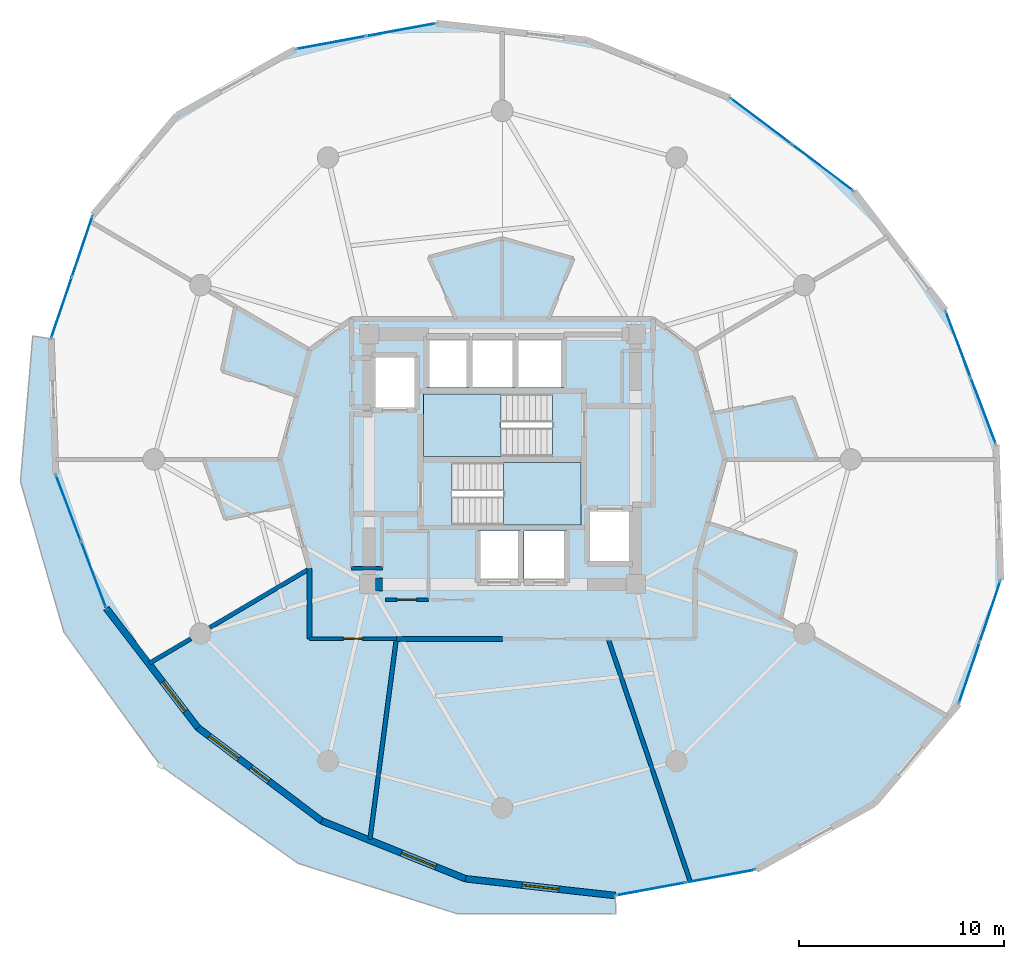
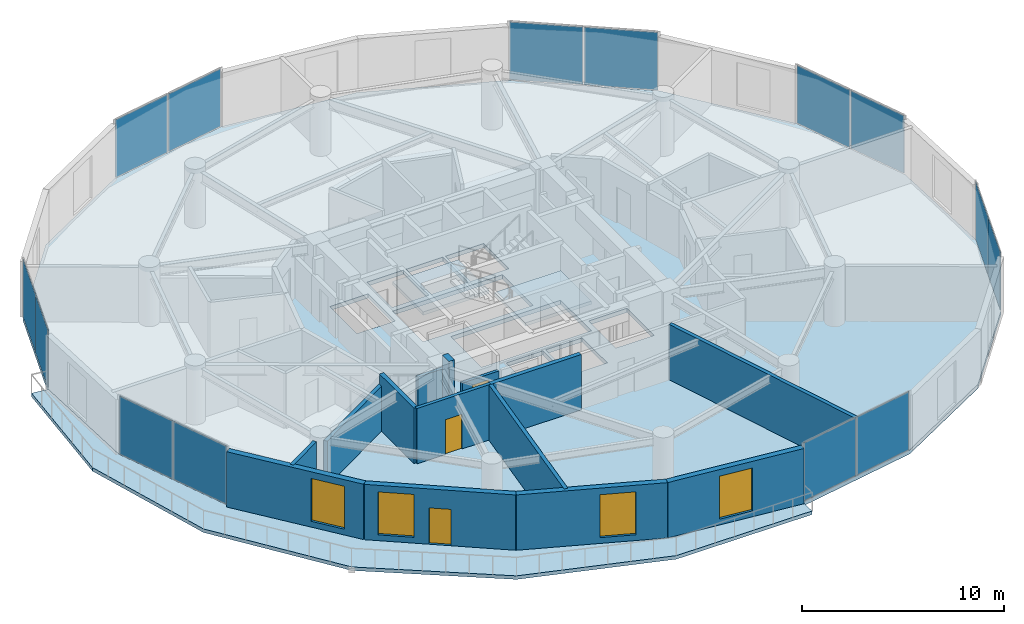
# One storey, part 20 of 25: 14 plates, 14 walls, 4 slabs, 4 windows, 3 doors, 7 openings, 9 elements without a shape of their own.
"""IFC4 building model written with IfcOpenShell, lengths in metres."""

from ifc_helpers import new_model, si_unit, direction, frame, frame_2d, origin, origin_2d, place, context, subcontext, project, spatial, polyline, rectangle, outline, extrude, source, transform, mapped, material, layer, layer_set, type_object, element, fill, aggregate, save


model = new_model("IFC4")

# Units and contexts
model_context = context("Model", 3, precision=1e-05, world=origin(), true_north=direction((0.0, 1.0)))
body_context = subcontext(model_context, "Body", "Model", "MODEL_VIEW")
ifc_project = project(units=[si_unit("LENGTHUNIT", "METRE"), si_unit("AREAUNIT", "SQUARE_METRE"), si_unit("VOLUMEUNIT", "CUBIC_METRE"), si_unit("PLANEANGLEUNIT", "RADIAN"), si_unit("MASSUNIT", "GRAM", prefix="KILO")], contexts=[model_context])

# Site, building, storey
site_placement = place(None, origin())
site = spatial("IfcSite", under=ifc_project, at=site_placement, CompositionType="ELEMENT")
building_placement = place(site_placement, origin())
building = spatial("IfcBuilding", under=site, at=building_placement, Name="Solvirekh Grand Hotel", CompositionType="ELEMENT")
storey_placement = place(building_placement, frame((0.0, 0.0, 106.199951171875)))
storey = spatial("IfcBuildingStorey", under=building, at=storey_placement, Name="L26", CompositionType="ELEMENT", Elevation=106.199951171875)

# Slab
ifc_material_1 = material(Name="Concrete C50/60", Category="concrete")
ifc_layer_1 = layer(ifc_material_1, 0.215087890625)
ifc_layer_set_1 = layer_set([ifc_layer_1], Name="Concrete C50/60")
slab_type_1 = type_object("IfcSlabType", Name="ExtCrescentBalc_215", PredefinedType="FLOOR", material=ifc_layer_set_1)
slab_1_placement = place(storey_placement, frame((0.0, 0.0, -0.21484375)))
element("IfcSlab", 1, at=slab_1_placement, inside=storey, type_object=slab_type_1, Name="L26 sweeping crescent balcony slab", PredefinedType="FLOOR", context=body_context, shape_type="SweptSolid", body=[
    extrude(outline(polyline([(-22.902099609375, 6.013916015625), (-23.5, -1.073974609375), (-21.384033203125, -8.423095703125), (-16.66796875, -14.93896484375), (-9.968994140625, -19.700927734375), (-2.220947265625, -22.15087890625), (5.5390625, -22.173095703125), (5.510986328125, -21.27294921875), (-1.7900390625, -20.455078125), (-8.802978515625, -17.635009765625), (-14.842041015625, -13.089111328125), (-19.31494140625, -7.260986328125), (-21.785888671875, -0.722900390625), (-22.010986328125, 5.885986328125), (-22.902099609375, 6.013916015625)])), origin(), (0.0, 0.0, 1.0), 0.21484375),
])

# Stair, slab
ifc_material_2 = material(Name="Concrete C40/50", Category="concrete")
stair_type = type_object("IfcStairType", Name="Stair_Core_1450", PredefinedType="HALF_TURN_STAIR", material=ifc_material_2)
stair_1_placement = place(storey_placement, origin())
stair_1 = element("IfcStair", 2, at=stair_1_placement, inside=storey, type_object=stair_type, Name="L26 Enclosed exit stair ST-1", PredefinedType="HALF_TURN_STAIR")
ifc_layer_2 = layer(ifc_material_2, 0.199951171875)
ifc_layer_set_2 = layer_set([ifc_layer_2], Name="Concrete C40/50")
slab_type_2 = type_object("IfcSlabType", Name="Landing_Stair_200", PredefinedType="LANDING", material=ifc_layer_set_2)
slab_2_placement = place(storey_placement, frame((0.0, 0.0, 1.60009765625)))
slab_2 = element("IfcSlab", 3, at=slab_2_placement, type_object=slab_type_2, Name="ST-1 landing 1", PredefinedType="LANDING", context=body_context, shape_type="SweptSolid", body=[
    extrude(outline(polyline([(0.070068359375, -3.199951171875), (3.85009765625, -3.199951171875), (3.85009765625, -0.14990234375), (0.070068359375, -0.14990234375), (0.070068359375, -3.199951171875)])), origin(), (0.0, 0.0, 1.0), 0.199951171875),
])
aggregate(stair_1, [slab_2])

stair_2_placement = place(storey_placement, origin())
stair_2 = element("IfcStair", 4, at=stair_2_placement, inside=storey, type_object=stair_type, Name="L26 Enclosed exit stair ST-2", PredefinedType="HALF_TURN_STAIR")
slab_3_placement = place(storey_placement, frame((0.0, 0.0, 1.60009765625)))
slab_3 = element("IfcSlab", 5, at=slab_3_placement, type_object=slab_type_2, Name="ST-2 landing 1", PredefinedType="LANDING", context=body_context, shape_type="SweptSolid", body=[
    extrude(outline(polyline([(-0.070068359375, 3.199951171875), (-3.85009765625, 3.199951171875), (-3.85009765625, 0.14990234375), (-0.070068359375, 0.14990234375), (-0.070068359375, 3.199951171875)])), origin(), (0.0, 0.0, 1.0), 0.199951171875),
])
aggregate(stair_2, [slab_3])

# Slab
ifc_layer_3 = layer(ifc_material_1, 0.25)
ifc_layer_set_3 = layer_set([ifc_layer_3], Name="Concrete C50/60")
slab_type_3 = type_object("IfcSlabType", Name="Slab_GuestZ2_250", PredefinedType="FLOOR", material=ifc_layer_set_3)
slab_4_placement = place(storey_placement, frame((0.0, 0.0, -0.25)))
element("IfcSlab", 6, at=slab_4_placement, inside=storey, type_object=slab_type_3, Name="L26 structural floor slab", PredefinedType="FLOOR", context=body_context, shape_type="SweptSolid", body=[
    extrude(outline(polyline([(22.26904296875, -11.9189453125), (24.31103515625, -5.885986328125), (24.0859375, 0.722900390625), (21.614990234375, 7.260986328125), (17.14208984375, 13.089111328125), (11.10302734375, 17.635009765625), (4.090087890625, 20.455078125), (-3.2109375, 21.27294921875), (-10.0849609375, 20.008056640625), (-15.85888671875, 16.784912109375), (-19.968994140625, 11.9189453125), (-22.010986328125, 5.885986328125), (-21.785888671875, -0.722900390625), (-19.31494140625, -7.260986328125), (-14.842041015625, -13.089111328125), (-8.802978515625, -17.635009765625), (-1.7900390625, -20.455078125), (5.510986328125, -21.27294921875), (12.385009765625, -20.008056640625), (18.158935546875, -16.784912109375), (22.26904296875, -11.9189453125)]), holes=[polyline([(-2.444091796875, -0.14990234375), (3.85009765625, -0.14990234375), (3.85009765625, -3.199951171875), (-2.444091796875, -3.199951171875), (-2.444091796875, -0.14990234375)]), polyline([(2.444091796875, 0.14990234375), (-3.85009765625, 0.14990234375), (-3.85009765625, 3.199951171875), (2.444091796875, 3.199951171875), (2.444091796875, 0.14990234375)]), polyline([(-1.199951171875, -3.5), (0.89990234375, -3.5), (0.89990234375, -6.0), (-1.199951171875, -6.0), (-1.199951171875, -3.5)]), polyline([(1.050048828125, -3.5), (3.14990234375, -3.5), (3.14990234375, -6.0), (1.050048828125, -6.0), (1.050048828125, -3.5)]), polyline([(-3.699951171875, 6.0), (-1.60009765625, 6.0), (-1.60009765625, 3.5), (-3.699951171875, 3.5), (-3.699951171875, 6.0)]), polyline([(-1.449951171875, 6.0), (0.64990234375, 6.0), (0.64990234375, 3.5), (-1.449951171875, 3.5), (-1.449951171875, 6.0)]), polyline([(0.800048828125, 6.0), (3.0, 6.0), (3.0, 3.5), (0.800048828125, 3.5), (0.800048828125, 6.0)]), polyline([(-6.35009765625, 5.10009765625), (-4.14990234375, 5.10009765625), (-4.14990234375, 2.39990234375), (-6.35009765625, 2.39990234375), (-6.35009765625, 5.10009765625)]), polyline([(4.14990234375, -2.39990234375), (6.35009765625, -2.39990234375), (6.35009765625, -5.10009765625), (4.14990234375, -5.10009765625), (4.14990234375, -2.39990234375)])]), origin(), (0.0, 0.0, 1.0), 0.25),
])

# Curtain wall, plates
ifc_material_3 = material(Name="Anodized Bronze Aluminium 6063-T6", Category="aluminium")
ifc_layer_4 = layer(ifc_material_3, 0.175048828125)
ifc_layer_set_4 = layer_set([ifc_layer_4], Name="Anodized Bronze Aluminium 6063-T6")
curtain_wall_type = type_object("IfcCurtainWallType", Name="CW_Sys3_MidZoneFlushBronzeCW", PredefinedType="NOTDEFINED", material=ifc_layer_set_4)
curtain_wall_1_placement = place(storey_placement, origin())
curtain_wall_1 = element("IfcCurtainWall", 7, at=curtain_wall_1_placement, inside=storey, type_object=curtain_wall_type, Name="L26 unitised bronze-glass curtain wall CW-L26-C01", PredefinedType="NOTDEFINED")
ifc_material_4 = material(Name="Low-E Tinted Bronze Laminated Glass", Category="aluminium")
ifc_layer_5 = layer(ifc_material_4, 0.035888671875)
ifc_layer_set_5 = layer_set([ifc_layer_5], Name="Low-E Tinted Bronze Laminated Glass")
plate_type = type_object("IfcPlateType", Name="CWPanel_Mid_36", PredefinedType="CURTAIN_PANEL", material=ifc_layer_set_5)
shared_shape_1 = source(origin(), body_context, "Body", "SweptSolid", [
    extrude(rectangle(XDim=3.087158203125, YDim=0.035888671875, at=origin_2d()), origin(), (0.0, 0.0, 1.0), 3.489990234375),
])
plate_1_placement = place(storey_placement, frame((22.78466796875, -10.395263671875, 0.05517578125), z_axis=(0.0, 0.0, 1.0), x_axis=(0.320604843106, 0.947213035477, 0.0)))
plate_1 = element("IfcPlate", 8, at=plate_1_placement, type_object=plate_type, Name="U03 panel 1.1", PredefinedType="CURTAIN_PANEL", context=body_context, shape_type="MappedRepresentation", body=[
    mapped(shared_shape_1, transform((0.0, 0.0, 0.0), x_axis=(1.0, 0.0, 0.0), y_axis=(0.0, 1.0, 0.0), z_axis=(0.0, 0.0, 1.0), scale=1.0)),
])
plate_2_placement = place(storey_placement, frame((23.79541015625, -7.40966796875, 0.05517578125), z_axis=(0.0, 0.0, 1.0), x_axis=(0.320604843106, 0.947213035477, 0.0)))
plate_2 = element("IfcPlate", 9, at=plate_2_placement, type_object=plate_type, Name="U03 panel 2.1", PredefinedType="CURTAIN_PANEL", context=body_context, shape_type="MappedRepresentation", body=[
    mapped(shared_shape_1, transform((0.0, 0.0, 0.0), x_axis=(1.0, 0.0, 0.0), y_axis=(0.0, 1.0, 0.0), z_axis=(0.0, 0.0, 1.0), scale=1.0)),
])
aggregate(curtain_wall_1, [plate_1, plate_2])

curtain_wall_2_placement = place(storey_placement, origin())
curtain_wall_2 = element("IfcCurtainWall", 10, at=curtain_wall_2_placement, inside=storey, type_object=curtain_wall_type, Name="L26 unitised bronze-glass curtain wall CW-L26-C11", PredefinedType="NOTDEFINED")
plate_3_placement = place(storey_placement, frame((-20.484619140625, 10.395263671875, 0.05517578125), z_axis=(0.0, 0.0, 1.0), x_axis=(-0.320604843106, -0.947213035477, 0.0)))
plate_3 = element("IfcPlate", 11, at=plate_3_placement, type_object=plate_type, Name="U03 panel 1.1", PredefinedType="CURTAIN_PANEL", context=body_context, shape_type="MappedRepresentation", body=[
    mapped(shared_shape_1, transform((0.0, 0.0, 0.0), x_axis=(1.0, 0.0, 0.0), y_axis=(0.0, 1.0, 0.0), z_axis=(0.0, 0.0, 1.0), scale=1.0)),
])
plate_4_placement = place(storey_placement, frame((-21.495361328125, 7.40966796875, 0.05517578125), z_axis=(0.0, 0.0, 1.0), x_axis=(-0.320604843106, -0.947213035477, 0.0)))
plate_4 = element("IfcPlate", 12, at=plate_4_placement, type_object=plate_type, Name="U03 panel 2.1", PredefinedType="CURTAIN_PANEL", context=body_context, shape_type="MappedRepresentation", body=[
    mapped(shared_shape_1, transform((0.0, 0.0, 0.0), x_axis=(1.0, 0.0, 0.0), y_axis=(0.0, 1.0, 0.0), z_axis=(0.0, 0.0, 1.0), scale=1.0)),
])
aggregate(curtain_wall_2, [plate_3, plate_4])

curtain_wall_3_placement = place(storey_placement, origin())
curtain_wall_3 = element("IfcCurtainWall", 13, at=curtain_wall_3_placement, inside=storey, type_object=curtain_wall_type, Name="L26 unitised bronze-glass curtain wall CW-L26-C03", PredefinedType="NOTDEFINED")
shared_shape_2 = source(origin(), body_context, "Body", "SweptSolid", [
    extrude(rectangle(XDim=3.397216796875, YDim=0.035888671875, at=origin_2d()), origin(), (0.0, 0.0, 1.0), 3.489990234375),
])
plate_5_placement = place(storey_placement, frame((23.46240234375, 2.372802734375, 0.05517578125), z_axis=(0.0, 0.0, 1.0), x_axis=(-0.353536899934, 0.935420579411, 0.0)))
plate_5 = element("IfcPlate", 14, at=plate_5_placement, type_object=plate_type, Name="U03 panel 1.1", PredefinedType="CURTAIN_PANEL", context=body_context, shape_type="MappedRepresentation", body=[
    mapped(shared_shape_2, transform((0.0, 0.0, 0.0), x_axis=(1.0, 0.0, 0.0), y_axis=(0.0, 1.0, 0.0), z_axis=(0.0, 0.0, 1.0), scale=1.0)),
])
plate_6_placement = place(storey_placement, frame((22.238525390625, 5.611328125, 0.05517578125), z_axis=(0.0, 0.0, 1.0), x_axis=(-0.353536899934, 0.935420579411, 0.0)))
plate_6 = element("IfcPlate", 15, at=plate_6_placement, type_object=plate_type, Name="U03 panel 2.1", PredefinedType="CURTAIN_PANEL", context=body_context, shape_type="MappedRepresentation", body=[
    mapped(shared_shape_2, transform((0.0, 0.0, 0.0), x_axis=(1.0, 0.0, 0.0), y_axis=(0.0, 1.0, 0.0), z_axis=(0.0, 0.0, 1.0), scale=1.0)),
])
aggregate(curtain_wall_3, [plate_5, plate_6])

curtain_wall_4_placement = place(storey_placement, origin())
curtain_wall_4 = element("IfcCurtainWall", 16, at=curtain_wall_4_placement, inside=storey, type_object=curtain_wall_type, Name="L26 unitised bronze-glass curtain wall CW-L26-C08", PredefinedType="NOTDEFINED")
plate_7_placement = place(storey_placement, frame((-4.945556640625, 20.953857421875, 0.05517578125), z_axis=(0.0, 0.0, 1.0), x_axis=(-0.983485371719, -0.180987633873, 0.0)))
plate_7 = element("IfcPlate", 17, at=plate_7_placement, type_object=plate_type, Name="U03 panel 1.1", PredefinedType="CURTAIN_PANEL", context=body_context, shape_type="MappedRepresentation", body=[
    mapped(shared_shape_2, transform((0.0, 0.0, 0.0), x_axis=(1.0, 0.0, 0.0), y_axis=(0.0, 1.0, 0.0), z_axis=(0.0, 0.0, 1.0), scale=1.0)),
])
plate_8_placement = place(storey_placement, frame((-8.3505859375, 20.3271484375, 0.05517578125), z_axis=(0.0, 0.0, 1.0), x_axis=(-0.983485371719, -0.180987633873, 0.0)))
plate_8 = element("IfcPlate", 18, at=plate_8_placement, type_object=plate_type, Name="U03 panel 2.1", PredefinedType="CURTAIN_PANEL", context=body_context, shape_type="MappedRepresentation", body=[
    mapped(shared_shape_2, transform((0.0, 0.0, 0.0), x_axis=(1.0, 0.0, 0.0), y_axis=(0.0, 1.0, 0.0), z_axis=(0.0, 0.0, 1.0), scale=1.0)),
])
aggregate(curtain_wall_4, [plate_7, plate_8])

curtain_wall_5_placement = place(storey_placement, origin())
curtain_wall_5 = element("IfcCurtainWall", 19, at=curtain_wall_5_placement, inside=storey, type_object=curtain_wall_type, Name="L26 unitised bronze-glass curtain wall CW-L26-C13", PredefinedType="NOTDEFINED")
plate_9_placement = place(storey_placement, frame((-21.16259765625, -2.372802734375, 0.05517578125), z_axis=(0.0, 0.0, 1.0), x_axis=(0.353536899934, -0.935420579411, 0.0)))
plate_9 = element("IfcPlate", 20, at=plate_9_placement, type_object=plate_type, Name="U03 panel 1.1", PredefinedType="CURTAIN_PANEL", context=body_context, shape_type="MappedRepresentation", body=[
    mapped(shared_shape_2, transform((0.0, 0.0, 0.0), x_axis=(1.0, 0.0, 0.0), y_axis=(0.0, 1.0, 0.0), z_axis=(0.0, 0.0, 1.0), scale=1.0)),
])
plate_10_placement = place(storey_placement, frame((-19.9384765625, -5.611328125, 0.05517578125), z_axis=(0.0, 0.0, 1.0), x_axis=(0.353536899934, -0.935420579411, 0.0)))
plate_10 = element("IfcPlate", 21, at=plate_10_placement, type_object=plate_type, Name="U03 panel 2.1", PredefinedType="CURTAIN_PANEL", context=body_context, shape_type="MappedRepresentation", body=[
    mapped(shared_shape_2, transform((0.0, 0.0, 0.0), x_axis=(1.0, 0.0, 0.0), y_axis=(0.0, 1.0, 0.0), z_axis=(0.0, 0.0, 1.0), scale=1.0)),
])
aggregate(curtain_wall_5, [plate_9, plate_10])

curtain_wall_6_placement = place(storey_placement, origin())
curtain_wall_6 = element("IfcCurtainWall", 22, at=curtain_wall_6_placement, inside=storey, type_object=curtain_wall_type, Name="L26 unitised bronze-glass curtain wall CW-L26-C18", PredefinedType="NOTDEFINED")
plate_11_placement = place(storey_placement, frame((7.245361328125, -20.953857421875, 0.05517578125), z_axis=(0.0, 0.0, 1.0), x_axis=(0.983485371719, 0.180987633873, 0.0)))
plate_11 = element("IfcPlate", 23, at=plate_11_placement, type_object=plate_type, Name="U03 panel 1.1", PredefinedType="CURTAIN_PANEL", context=body_context, shape_type="MappedRepresentation", body=[
    mapped(shared_shape_2, transform((0.0, 0.0, 0.0), x_axis=(1.0, 0.0, 0.0), y_axis=(0.0, 1.0, 0.0), z_axis=(0.0, 0.0, 1.0), scale=1.0)),
])
plate_12_placement = place(storey_placement, frame((10.650634765625, -20.3271484375, 0.05517578125), z_axis=(0.0, 0.0, 1.0), x_axis=(0.983485371719, 0.180987633873, 0.0)))
plate_12 = element("IfcPlate", 24, at=plate_12_placement, type_object=plate_type, Name="U03 panel 2.1", PredefinedType="CURTAIN_PANEL", context=body_context, shape_type="MappedRepresentation", body=[
    mapped(shared_shape_2, transform((0.0, 0.0, 0.0), x_axis=(1.0, 0.0, 0.0), y_axis=(0.0, 1.0, 0.0), z_axis=(0.0, 0.0, 1.0), scale=1.0)),
])
aggregate(curtain_wall_6, [plate_11, plate_12])

curtain_wall_7_placement = place(storey_placement, origin())
curtain_wall_7 = element("IfcCurtainWall", 25, at=curtain_wall_7_placement, inside=storey, type_object=curtain_wall_type, Name="L26 unitised bronze-glass curtain wall CW-L26-C05", PredefinedType="NOTDEFINED")
shared_shape_3 = source(origin(), body_context, "Body", "SweptSolid", [
    extrude(rectangle(XDim=3.681884765625, YDim=0.035888671875, at=origin_2d()), origin(), (0.0, 0.0, 1.0), 3.489990234375),
])
plate_13_placement = place(storey_placement, frame((15.619384765625, 14.2353515625, 0.05517578125), z_axis=(0.0, 0.0, 1.0), x_axis=(-0.798935083696, 0.601417269489, 0.0)))
plate_13 = element("IfcPlate", 26, at=plate_13_placement, type_object=plate_type, Name="U03 panel 1.1", PredefinedType="CURTAIN_PANEL", context=body_context, shape_type="MappedRepresentation", body=[
    mapped(shared_shape_3, transform((0.0, 0.0, 0.0), x_axis=(1.0, 0.0, 0.0), y_axis=(0.0, 1.0, 0.0), z_axis=(0.0, 0.0, 1.0), scale=1.0)),
])
plate_14_placement = place(storey_placement, frame((12.625732421875, 16.48876953125, 0.05517578125), z_axis=(0.0, 0.0, 1.0), x_axis=(-0.798935083696, 0.601417269489, 0.0)))
plate_14 = element("IfcPlate", 27, at=plate_14_placement, type_object=plate_type, Name="U03 panel 2.1", PredefinedType="CURTAIN_PANEL", context=body_context, shape_type="MappedRepresentation", body=[
    mapped(shared_shape_3, transform((0.0, 0.0, 0.0), x_axis=(1.0, 0.0, 0.0), y_axis=(0.0, 1.0, 0.0), z_axis=(0.0, 0.0, 1.0), scale=1.0)),
])
aggregate(curtain_wall_7, [plate_13, plate_14])

# Wall
ifc_layer_6 = layer(ifc_material_1, 0.64990234375)
ifc_layer_set_6 = layer_set([ifc_layer_6], Name="Concrete C50/60")
wall_type_1 = type_object("IfcWallType", Name="CoreWall_RC650", PredefinedType="SHEAR", material=ifc_layer_set_6)
wall_1_placement = place(storey_placement, frame((-6.175048828125, -6.10009765625, 0.0), z_axis=(0.0, 0.0, 1.0), x_axis=(1.0, 0.0, 0.0)))
element("IfcWall", 28, at=wall_1_placement, inside=storey, type_object=wall_type_1, Name="L26 core corner shear wall SW-S", PredefinedType="SHEAR", context=body_context, shape_type="SweptSolid", body=[
    extrude(rectangle(XDim=0.324951171875, YDim=0.64990234375, at=frame_2d((0.16259765625, 0.0))), origin(), (0.0, 0.0, 1.0), 3.60009765625),
])

# Wall, opening, window
ifc_material_5 = material(Name="Precast concrete C45/55", Category="concrete")
ifc_layer_7 = layer(ifc_material_5, 0.320068359375)
ifc_layer_set_7 = layer_set([ifc_layer_7], Name="Precast concrete C45/55")
wall_type_2 = type_object("IfcWallType", Name="ExtLobbyWall_RC320", PredefinedType="SOLIDWALL", material=ifc_layer_set_7)
wall_2_placement = place(storey_placement, frame((-14.842041015625, -13.089111328125, 0.0), z_axis=(0.0, 0.0, 1.0), x_axis=(-0.608831916989, 0.793299247986, 0.0)))
wall_2 = element("IfcWall", 29, at=wall_2_placement, inside=storey, type_object=wall_type_2, Name="L26 exterior structural wall chord 14", PredefinedType="SOLIDWALL", context=body_context, shape_type="SweptSolid", body=[
    extrude(rectangle(XDim=7.3466796875, YDim=0.320068359375, at=frame_2d((3.67333984375, 0.0))), origin(), (0.0, 0.0, 1.0), 3.35009765625),
])
opening_1_placement = place(wall_2_placement, frame((1.02099609375, 0.0, 0.35009765625)))
opening_1 = element("IfcOpeningElement", 30, at=opening_1_placement, cuts=wall_2, Name="Opening W02", PredefinedType="OPENING", context=body_context, shape_type="SweptSolid", body=[
    extrude(rectangle(XDim=1.800048828125, YDim=2.60009765625, at=frame_2d((0.89990234375, 1.300048828125))), frame((0.0, 0.169921875, 0.0), z_axis=(0.0, -1.0, 0.0), x_axis=(1.0, 0.0, 0.0)), (0.0, 0.0, 1.0), 0.340087890625),
])
window_type = type_object("IfcWindowType", Name="Win_LobbyExt_1800X2600", PartitioningType="SINGLE_PANEL", PredefinedType="WINDOW", material=ifc_material_4)
window_1_placement = place(opening_1_placement, origin())
window_1 = element("IfcWindow", 31, at=window_1_placement, inside=storey, type_object=window_type, Name="L26 panoramic bronze-framed window 14", OverallHeight=2.60009765625, OverallWidth=1.800048828125, PartitioningType="SINGLE_PANEL", PredefinedType="WINDOW", context=body_context, shape_type="SweptSolid", body=[
    extrude(rectangle(XDim=1.800048828125, YDim=2.60009765625, at=frame_2d((0.89990234375, 1.300048828125))), frame((0.0, 0.030029296875, 0.0), z_axis=(0.0, -1.0, 0.0), x_axis=(1.0, 0.0, 0.0)), (0.0, 0.0, 1.0), 0.06005859375),
])
fill(opening_1, window_1)

# Wall, openings, door, window
wall_3_placement = place(storey_placement, frame((-8.802978515625, -17.635009765625, 0.0), z_axis=(0.0, 0.0, 1.0), x_axis=(-0.798944530401, 0.601404720087, 0.0)))
wall_3 = element("IfcWall", 32, at=wall_3_placement, inside=storey, type_object=wall_type_2, Name="L26 exterior structural wall chord 15", PredefinedType="SOLIDWALL", context=body_context, shape_type="SweptSolid", body=[
    extrude(rectangle(XDim=7.558837890625, YDim=0.320068359375, at=frame_2d((3.779296875, 0.0))), origin(), (0.0, 0.0, 1.0), 3.35009765625),
])
opening_2_placement = place(wall_3_placement, frame((5.069091796875, 0.0, 0.35009765625)))
opening_2 = element("IfcOpeningElement", 33, at=opening_2_placement, cuts=wall_3, Name="Opening W02", PredefinedType="OPENING", context=body_context, shape_type="SweptSolid", body=[
    extrude(rectangle(XDim=1.800048828125, YDim=2.60009765625, at=frame_2d((0.89990234375, 1.300048828125))), frame((0.0, 0.169921875, 0.0), z_axis=(0.0, -1.0, 0.0), x_axis=(1.0, 0.0, 0.0)), (0.0, 0.0, 1.0), 0.340087890625),
])
opening_3_placement = place(wall_3_placement, frame((3.22900390625, 0.0, 0.0)))
opening_3 = element("IfcOpeningElement", 34, at=opening_3_placement, cuts=wall_3, Name="Opening D03", PredefinedType="OPENING", context=body_context, shape_type="SweptSolid", body=[
    extrude(rectangle(XDim=1.10009765625, YDim=2.199951171875, at=frame_2d((0.550048828125, 1.10009765625))), frame((0.0, 0.169921875, 0.0), z_axis=(0.0, -1.0, 0.0), x_axis=(1.0, 0.0, 0.0)), (0.0, 0.0, 1.0), 0.340087890625),
])
door_type_1 = type_object("IfcDoorType", Name="Door_ExtBalcony_1100X2200", OperationType="NOTDEFINED", PredefinedType="DOOR", material=ifc_material_3)
door_1_placement = place(opening_3_placement, origin())
door_1 = element("IfcDoor", 35, at=door_1_placement, inside=storey, type_object=door_type_1, Name="L26 Crescent balcony glazed door (15)", OperationType="SINGLE_SWING_LEFT", OverallHeight=2.199951171875, OverallWidth=1.10009765625, PredefinedType="DOOR", context=body_context, shape_type="SweptSolid", body=[
    extrude(rectangle(XDim=1.10009765625, YDim=2.199951171875, at=frame_2d((0.550048828125, 1.10009765625))), frame((0.0, 0.02490234375, 0.0), z_axis=(0.0, -1.0, 0.0), x_axis=(1.0, 0.0, 0.0)), (0.0, 0.0, 1.0), 0.050048828125),
])
fill(opening_3, door_1)
window_2_placement = place(opening_2_placement, origin())
window_2 = element("IfcWindow", 36, at=window_2_placement, inside=storey, type_object=window_type, Name="L26 exterior side window 15", OverallHeight=2.60009765625, OverallWidth=1.800048828125, PartitioningType="SINGLE_PANEL", PredefinedType="WINDOW", context=body_context, shape_type="SweptSolid", body=[
    extrude(rectangle(XDim=1.800048828125, YDim=2.60009765625, at=frame_2d((0.89990234375, 1.300048828125))), frame((0.0, 0.030029296875, 0.0), z_axis=(0.0, -1.0, 0.0), x_axis=(1.0, 0.0, 0.0)), (0.0, 0.0, 1.0), 0.06005859375),
])
fill(opening_2, window_2)

# Wall, opening, window
wall_4_placement = place(storey_placement, frame((-1.7900390625, -20.455078125, 0.0), z_axis=(0.0, 0.0, 1.0), x_axis=(-0.927795739468, 0.373088549577, 0.0)))
wall_4 = element("IfcWall", 37, at=wall_4_placement, inside=storey, type_object=wall_type_2, Name="L26 exterior structural wall chord 16", PredefinedType="SOLIDWALL", context=body_context, shape_type="SweptSolid", body=[
    extrude(rectangle(XDim=7.55859375, YDim=0.320068359375, at=frame_2d((3.779296875, 0.0))), origin(), (0.0, 0.0, 1.0), 3.35009765625),
])
opening_4_placement = place(wall_4_placement, frame((1.572021484375, 0.0, 0.35009765625)))
opening_4 = element("IfcOpeningElement", 38, at=opening_4_placement, cuts=wall_4, Name="Opening W02", PredefinedType="OPENING", context=body_context, shape_type="SweptSolid", body=[
    extrude(rectangle(XDim=1.800048828125, YDim=2.60009765625, at=frame_2d((0.89990234375, 1.300048828125))), frame((0.0, 0.169921875, 0.0), z_axis=(0.0, -1.0, 0.0), x_axis=(1.0, 0.0, 0.0)), (0.0, 0.0, 1.0), 0.340087890625),
])
window_3_placement = place(opening_4_placement, origin())
window_3 = element("IfcWindow", 39, at=window_3_placement, inside=storey, type_object=window_type, Name="L26 panoramic bronze-framed window 16", OverallHeight=2.60009765625, OverallWidth=1.800048828125, PartitioningType="SINGLE_PANEL", PredefinedType="WINDOW", context=body_context, shape_type="SweptSolid", body=[
    extrude(rectangle(XDim=1.800048828125, YDim=2.60009765625, at=frame_2d((0.89990234375, 1.300048828125))), frame((0.0, 0.030029296875, 0.0), z_axis=(0.0, -1.0, 0.0), x_axis=(1.0, 0.0, 0.0)), (0.0, 0.0, 1.0), 0.06005859375),
])
fill(opening_4, window_3)

wall_5_placement = place(storey_placement, frame((5.510986328125, -21.27294921875, 0.0), z_axis=(0.0, 0.0, 1.0), x_axis=(-0.993784044115, 0.111325081016, 0.0)))
wall_5 = element("IfcWall", 40, at=wall_5_placement, inside=storey, type_object=wall_type_2, Name="L26 exterior structural wall chord 17", PredefinedType="SOLIDWALL", context=body_context, shape_type="SweptSolid", body=[
    extrude(rectangle(XDim=7.3466796875, YDim=0.320068359375, at=frame_2d((3.67333984375, 0.0))), origin(), (0.0, 0.0, 1.0), 3.35009765625),
])
opening_5_placement = place(wall_5_placement, frame((2.77294921875, 0.0, 0.35009765625)))
opening_5 = element("IfcOpeningElement", 41, at=opening_5_placement, cuts=wall_5, Name="Opening W02", PredefinedType="OPENING", context=body_context, shape_type="SweptSolid", body=[
    extrude(rectangle(XDim=1.800048828125, YDim=2.60009765625, at=frame_2d((0.89990234375, 1.300048828125))), frame((0.0, 0.169921875, 0.0), z_axis=(0.0, -1.0, 0.0), x_axis=(1.0, 0.0, 0.0)), (0.0, 0.0, 1.0), 0.340087890625),
])
window_4_placement = place(opening_5_placement, origin())
window_4 = element("IfcWindow", 42, at=window_4_placement, inside=storey, type_object=window_type, Name="L26 panoramic bronze-framed window 17", OverallHeight=2.60009765625, OverallWidth=1.800048828125, PartitioningType="SINGLE_PANEL", PredefinedType="WINDOW", context=body_context, shape_type="SweptSolid", body=[
    extrude(rectangle(XDim=1.800048828125, YDim=2.60009765625, at=frame_2d((0.89990234375, 1.300048828125))), frame((0.0, 0.030029296875, 0.0), z_axis=(0.0, -1.0, 0.0), x_axis=(1.0, 0.0, 0.0)), (0.0, 0.0, 1.0), 0.06005859375),
])
fill(opening_5, window_4)

# Wall
ifc_material_6 = material(Name="Acoustic Gypsum Partition Assembly")
ifc_layer_8 = layer(ifc_material_6, 0.1650390625)
ifc_layer_set_8 = layer_set([ifc_layer_8], Name="Acoustic Gypsum Partition Assembly")
wall_type_3 = type_object("IfcWallType", Name="Part_BOH_165", PredefinedType="PARTITIONING", material=ifc_layer_set_8)
wall_6_placement = place(storey_placement, frame((-7.35009765625, -5.300048828125, 0.0), z_axis=(0.0, 0.0, 1.0), x_axis=(1.0, 0.0, 0.0)))
element("IfcWall", 43, at=wall_6_placement, inside=storey, type_object=wall_type_3, Name="L26 L26 Core Linen Store wall 1", PredefinedType="PARTITIONING", context=body_context, shape_type="SweptSolid", body=[
    extrude(rectangle(XDim=1.5, YDim=0.1650390625, at=frame_2d((0.75, 0.0))), origin(), (0.0, 0.0, 1.0), 2.43505859375),
])

# Wall, opening, door
wall_7_placement = place(storey_placement, frame((-5.699951171875, -6.85009765625, 0.0), z_axis=(0.0, 0.0, 1.0), x_axis=(1.0, 0.0, 0.0)))
wall_7 = element("IfcWall", 44, at=wall_7_placement, inside=storey, type_object=wall_type_3, Name="L26 Mid-Zone Housekeeping Store wall 1", PredefinedType="PARTITIONING", context=body_context, shape_type="SweptSolid", body=[
    extrude(rectangle(XDim=2.099853515625, YDim=0.1650390625, at=frame_2d((1.0498046875, 0.0))), origin(), (0.0, 0.0, 1.0), 2.43505859375),
])
opening_6_placement = place(wall_7_placement, frame((0.574951171875, 0.0, 0.0)))
opening_6 = element("IfcOpeningElement", 45, at=opening_6_placement, cuts=wall_7, Name="Opening D10", PredefinedType="OPENING", context=body_context, shape_type="SweptSolid", body=[
    extrude(rectangle(XDim=0.949951171875, YDim=2.10009765625, at=frame_2d((0.47509765625, 1.050048828125))), frame((0.0, 0.092529296875, 0.0), z_axis=(0.0, -1.0, 0.0), x_axis=(1.0, 0.0, 0.0)), (0.0, 0.0, 1.0), 0.18505859375),
])
door_type_2 = type_object("IfcDoorType", Name="Door_RoomInt_950X2100", OperationType="NOTDEFINED", PredefinedType="DOOR", material=ifc_material_3)
door_2_placement = place(opening_6_placement, origin())
door_2 = element("IfcDoor", 46, at=door_2_placement, inside=storey, type_object=door_type_2, Name="L26 Mid-Zone Housekeeping Store door", OperationType="SINGLE_SWING_LEFT", OverallHeight=2.10009765625, OverallWidth=0.949951171875, PredefinedType="DOOR", context=body_context, shape_type="SweptSolid", body=[
    extrude(rectangle(XDim=0.949951171875, YDim=2.10009765625, at=frame_2d((0.47509765625, 1.050048828125))), frame((0.0, 0.02490234375, 0.0), z_axis=(0.0, -1.0, 0.0), x_axis=(1.0, 0.0, 0.0)), (0.0, 0.0, 1.0), 0.050048828125),
])
fill(opening_6, door_2)

# Walls
ifc_layer_9 = layer(ifc_material_6, 0.239990234375)
ifc_layer_set_9 = layer_set([ifc_layer_9], Name="Acoustic Gypsum Partition Assembly")
wall_type_4 = type_object("IfcWallType", Name="Part_Corridor_240", PredefinedType="PARTITIONING", material=ifc_layer_set_9)
wall_8_placement = place(storey_placement, frame((-9.39599609375, -5.324951171875, 0.0), z_axis=(0.0, 0.0, 1.0), x_axis=(0.0, -1.0, 0.0)))
element("IfcWall", 47, at=wall_8_placement, inside=storey, type_object=wall_type_4, Name="L26 L26 Ambassador Wintergarden corridor wall 1", PredefinedType="PARTITIONING", context=body_context, shape_type="SweptSolid", body=[
    extrude(rectangle(XDim=3.425048828125, YDim=0.239990234375, at=frame_2d((1.71240234375, 0.0))), origin(), (0.0, 0.0, 1.0), 3.35009765625),
])
wall_9_placement = place(storey_placement, frame((-5.16796875, -8.75, 0.0), z_axis=(0.0, 0.0, 1.0), x_axis=(1.0, 0.0, 0.0)))
element("IfcWall", 48, at=wall_9_placement, inside=storey, type_object=wall_type_4, Name="L26 L26 Riverfront Reading Lounge corridor wall 1", PredefinedType="PARTITIONING", context=body_context, shape_type="SweptSolid", body=[
    extrude(rectangle(XDim=5.16796875, YDim=0.239990234375, at=frame_2d((2.583984375, 0.0))), origin(), (0.0, 0.0, 1.0), 3.35009765625),
])

# Wall, opening, door
ifc_layer_10 = layer(ifc_material_6, 0.18994140625)
ifc_layer_set_10 = layer_set([ifc_layer_10], Name="Acoustic Gypsum Partition Assembly")
wall_type_5 = type_object("IfcWallType", Name="Part_GuestDemise_190", PredefinedType="PARTITIONING", material=ifc_layer_set_10)
wall_10_placement = place(storey_placement, frame((-9.39599609375, -8.75, 0.0), z_axis=(0.0, 0.0, 1.0), x_axis=(1.0, 0.0, 0.0)))
wall_10 = element("IfcWall", 49, at=wall_10_placement, inside=storey, type_object=wall_type_5, Name="L26 L26 Ambassador Wintergarden entrance wall", PredefinedType="PARTITIONING", context=body_context, shape_type="SweptSolid", body=[
    extrude(rectangle(XDim=4.22802734375, YDim=0.18994140625, at=frame_2d((2.114013671875, 0.0))), origin(), (0.0, 0.0, 1.0), 3.35009765625),
])
opening_7_placement = place(wall_10_placement, frame((1.638916015625, 0.0, 0.0)))
opening_7 = element("IfcOpeningElement", 50, at=opening_7_placement, cuts=wall_10, Name="Opening D10", PredefinedType="OPENING", context=body_context, shape_type="SweptSolid", body=[
    extrude(rectangle(XDim=0.949951171875, YDim=2.10009765625, at=frame_2d((0.47509765625, 1.050048828125))), frame((0.0, 0.10498046875, 0.0), z_axis=(0.0, -1.0, 0.0), x_axis=(1.0, 0.0, 0.0)), (0.0, 0.0, 1.0), 0.2099609375),
])
door_3_placement = place(opening_7_placement, origin())
door_3 = element("IfcDoor", 51, at=door_3_placement, inside=storey, type_object=door_type_2, Name="L26 L26 Ambassador Wintergarden entrance door", OperationType="SINGLE_SWING_LEFT", OverallHeight=2.10009765625, OverallWidth=0.949951171875, PredefinedType="DOOR", context=body_context, shape_type="SweptSolid", body=[
    extrude(rectangle(XDim=0.949951171875, YDim=2.10009765625, at=frame_2d((0.47509765625, 1.050048828125))), frame((0.0, 0.02490234375, 0.0), z_axis=(0.0, -1.0, 0.0), x_axis=(1.0, 0.0, 0.0)), (0.0, 0.0, 1.0), 0.050048828125),
])
fill(opening_7, door_3)

# Walls
ifc_layer_11 = layer(ifc_material_6, 0.2099609375)
ifc_layer_set_11 = layer_set([ifc_layer_11], Name="Acoustic Gypsum Partition Assembly")
wall_type_6 = type_object("IfcWallType", Name="Part_SuiteDemise_210", PredefinedType="PARTITIONING", material=ifc_layer_set_11)
wall_11_placement = place(storey_placement, frame((-9.39599609375, -5.324951171875, 0.0), z_axis=(0.0, 0.0, 1.0), x_axis=(-0.861187639937, -0.508287171607, 0.0)))
element("IfcWall", 52, at=wall_11_placement, inside=storey, type_object=wall_type_6, Name="L26 suite radial wall 8 (A)", PredefinedType="PARTITIONING", context=body_context, shape_type="SweptSolid", body=[
    extrude(rectangle(XDim=5.65625, YDim=0.2099609375, at=frame_2d((2.828125, 0.0))), origin(), (0.0, 0.0, 1.0), 2.718994140625),
])
wall_12_placement = place(storey_placement, frame((-15.205078125, -8.7529296875, 0.0), z_axis=(0.0, 0.0, 1.0), x_axis=(-0.861151801863, -0.508347886932, 0.0)))
element("IfcWall", 53, at=wall_12_placement, inside=storey, type_object=wall_type_6, Name="L26 suite radial wall 8 (B)", PredefinedType="PARTITIONING", context=body_context, shape_type="SweptSolid", body=[
    extrude(rectangle(XDim=2.329345703125, YDim=0.2099609375, at=frame_2d((1.16455078125, 0.0))), origin(), (0.0, 0.0, 1.0), 3.35009765625),
])
wall_13_placement = place(storey_placement, frame((-5.16796875, -8.75, 0.0), z_axis=(0.0, 0.0, 1.0), x_axis=(-0.130403964366, -0.991460945311, 0.0)))
element("IfcWall", 54, at=wall_13_placement, inside=storey, type_object=wall_type_6, Name="L26 L26 Ambassador Wintergarden dividing partition 1", PredefinedType="PARTITIONING", context=body_context, shape_type="SweptSolid", body=[
    extrude(rectangle(XDim=9.8701171875, YDim=0.2099609375, at=frame_2d((4.93505859375, 0.0))), origin(), (0.0, 0.0, 1.0), 3.35009765625),
])
wall_14_placement = place(storey_placement, frame((5.16796875, -8.75, 0.0), z_axis=(0.0, 0.0, 1.0), x_axis=(0.319791389232, -0.947487977429, 0.0)))
element("IfcWall", 55, at=wall_14_placement, inside=storey, type_object=wall_type_6, Name="L26 L26 Riverfront Reading Lounge dividing partition 1", PredefinedType="PARTITIONING", context=body_context, shape_type="SweptSolid", body=[
    extrude(rectangle(XDim=12.4677734375, YDim=0.2099609375, at=frame_2d((6.23388671875, 0.0))), origin(), (0.0, 0.0, 1.0), 3.35009765625),
])

save(model, "model.ifc")
